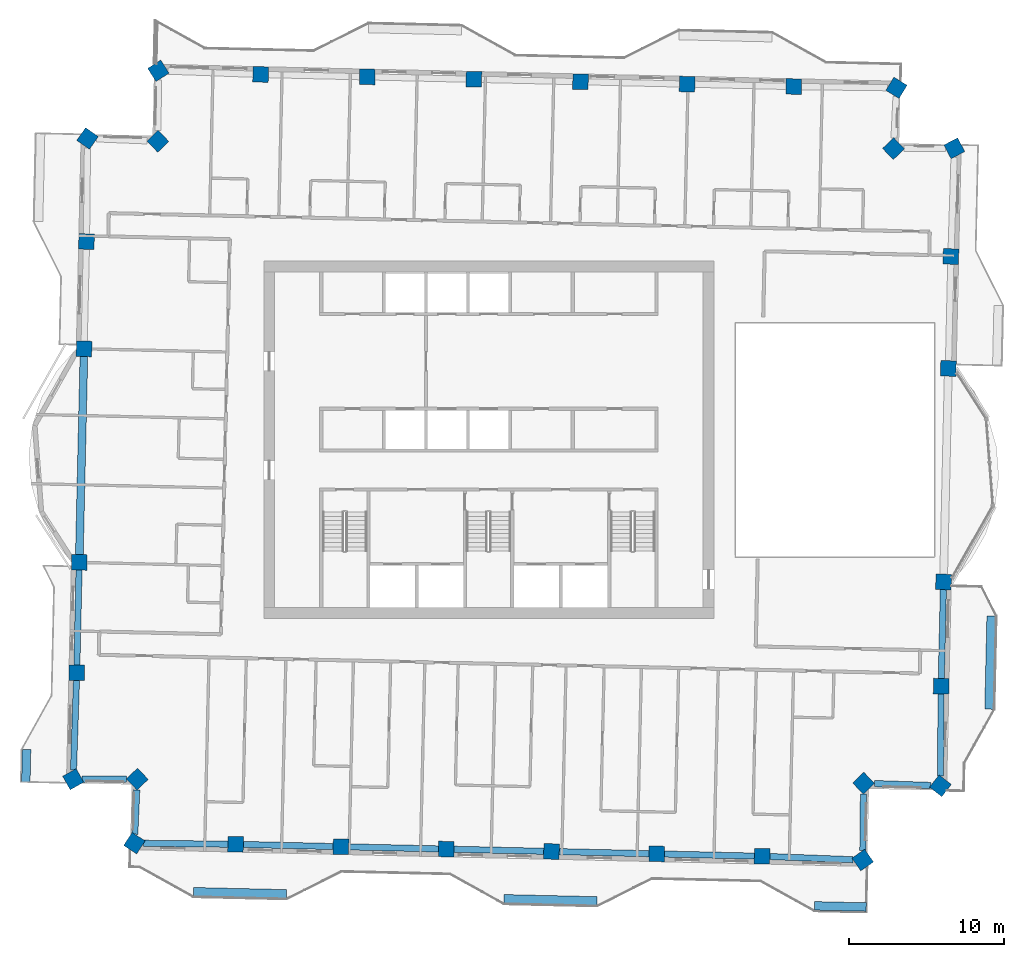
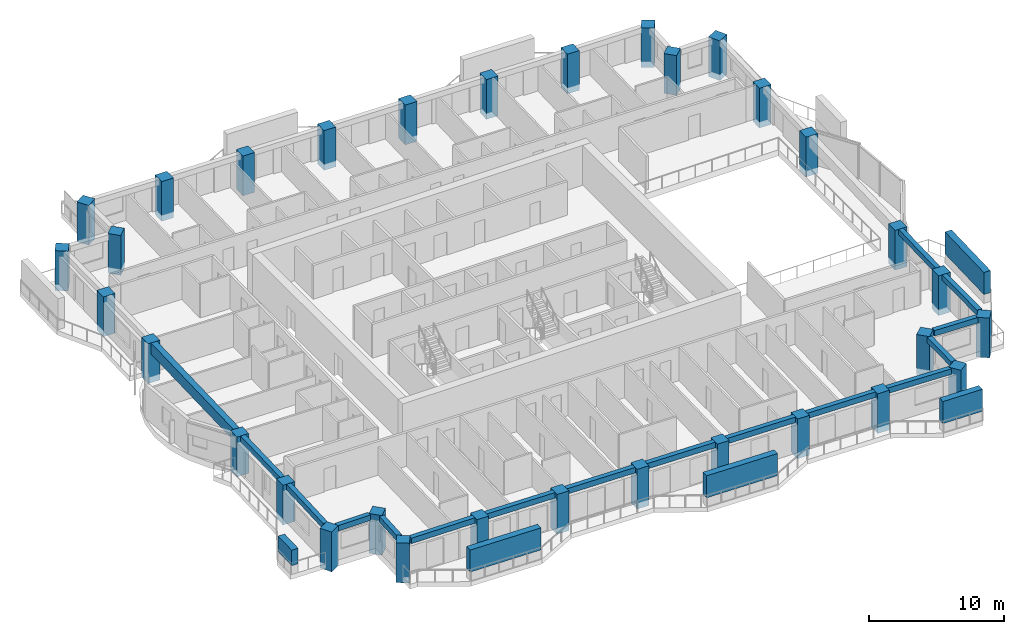
# One storey, part 1 of 17: 32 columns, 16 beams, 5 members.
"""IFC4 building model written with IfcOpenShell, lengths in metres."""

from ifc_helpers import new_model, si_unit, direction, frame, origin, origin_2d, place, context, subcontext, project, spatial, rectangle, extrude, material, material_profile, profile_set, type_object, element, save


model = new_model("IFC4")

# Units and contexts
model_context = context("Model", 3, precision=1e-05, world=origin(), true_north=direction((0.0, 1.0)))
body_context = subcontext(model_context, "Body", "Model", "MODEL_VIEW")
ifc_project = project(units=[si_unit("LENGTHUNIT", "METRE"), si_unit("AREAUNIT", "SQUARE_METRE"), si_unit("VOLUMEUNIT", "CUBIC_METRE"), si_unit("PLANEANGLEUNIT", "RADIAN"), si_unit("MASSUNIT", "GRAM", prefix="KILO")], contexts=[model_context])

# Site, building, storey
site_placement = place(None, origin())
site = spatial("IfcSite", under=ifc_project, at=site_placement, CompositionType="ELEMENT")
building_placement = place(site_placement, origin())
building = spatial("IfcBuilding", under=site, at=building_placement, Name="Mangrove Gate Tower", CompositionType="ELEMENT")
storey_placement = place(building_placement, frame((0.0, 0.0, 271.699951171875)))
storey = spatial("IfcBuildingStorey", under=building, at=storey_placement, Name="L69", CompositionType="ELEMENT", Elevation=271.699951171875)

# Columns
ifc_material_1 = material(Name="Concrete C50/60", Category="concrete")
ifc_material_profile_1 = material_profile(ifc_material_1, rectangle(XDim=1.0, YDim=1.0, at=origin_2d()))
ifc_profile_set_1 = profile_set([ifc_material_profile_1], Name="Concrete C50/60")
column_type = type_object("IfcColumnType", Name="Column RC 1000x1000 C50/60", PredefinedType="COLUMN", material=ifc_profile_set_1)
for number, where, z_axis, x_axis, name in (
    (1, (-26.385009765625, -7.892333984375, -0.550048828125), (0.0, 0.0, 1.0), (-0.022672414846, -0.999742947765, 0.0), "Column L69 W05"),
    (2, (-26.546142578125, -15.002197265625, -0.550048828125), (0.0, 0.0, 1.0), (-0.022636766921, -0.999743755561, 0.0), "Column L69 W06"),
    (3, (-26.770751953125, -21.857666015625, -0.550048828125), (0.0, 0.0, 1.0), (0.488846659431, -0.872369728706, 0.0), "Column L69 W07"),
    (4, (-22.646484375, -21.8515625, -0.550048828125), (0.0, 0.0, 1.0), (0.690844076144, -0.723003777622, 0.0), "Column L69 W08"),
    (5, (-22.8310546875, -25.97705078125, -0.550048828125), (0.0, 0.0, 1.0), (0.837962090781, -0.545728443838, 0.0), "Column L69 S01"),
    (6, (-16.312744140625, -26.050048828125, -0.550048828125), (0.0, 0.0, 1.0), (0.999742139886, -0.022708010396, 0.0), "Column L69 S02"),
    (7, (-9.53271484375, -26.2041015625, -0.550048828125), (0.0, 0.0, 1.0), (0.99974381087, -0.022634324086, 0.0), "Column L69 S03"),
    (8, (-2.752685546875, -26.357177734375, -0.550048828125), (0.0, 0.0, 1.0), (0.99974381087, -0.022634324086, 0.0), "Column L69 S04"),
    (9, (4.02734375, -26.51123046875, -0.550048828125), (0.0, 0.0, 1.0), (0.999742139886, -0.022708010396, 0.0), "Column L69 S05"),
    (10, (10.807373046875, -26.6650390625, -0.550048828125), (0.0, 0.0, 1.0), (0.999742139886, -0.022708010396, 0.0), "Column L69 S06"),
    (11, (17.58740234375, -26.819091796875, -0.550048828125), (0.0, 0.0, 1.0), (0.999742139886, -0.022708010396, 0.0), "Column L69 S07"),
    (12, (24.068359375, -27.06396484375, -0.550048828125), (0.0, 0.0, 1.0), (0.818120763293, 0.575046447402, 0.0), "Column L69 S08"),
    (13, (24.12353515625, -22.112548828125, -0.550048828125), (0.0, 0.0, 1.0), (0.722976563275, 0.690872556232, 0.0), "Column L69 E01"),
    (14, (29.073974609375, -22.2802734375, -0.550048828125), (0.0, 0.0, 1.0), (0.615428397343, 0.788192798586, 0.0), "Column L69 E02"),
    (15, (29.1201171875, -15.86572265625, -0.550048828125), (0.0, 0.0, 1.0), (0.022718026002, 0.999741912343, 0.0), "Column L69 E03"),
    (16, (29.273193359375, -9.154541015625, -0.550048828125), (0.0, 0.0, 1.0), (0.022723627062, 0.999741785049, 0.0), "Column L69 E04"),
    (17, (29.585205078125, 4.59228515625, -0.550048828125), (0.0, 0.0, 1.0), (0.022659642318, 0.999743237341, 0.0), "Column L69 E05"),
    (18, (29.748046875, 11.80224609375, -0.550048828125), (0.0, 0.0, 1.0), (0.0226694311, 0.999743015426, 0.0), "Column L69 E06"),
    (19, (29.96923828125, 18.76953125, -0.550048828125), (0.0, 0.0, 1.0), (-0.465021631321, 0.885299317973, 0.0), "Column L69 E07"),
    (20, (26.051513671875, 18.74658203125, -0.550048828125), (0.0, 0.0, 1.0), (-0.690925538708, 0.722925929788, 0.0), "Column L69 E08"),
    (21, (26.24267578125, 22.664794921875, -0.550048828125), (0.0, 0.0, 1.0), (-0.852456548942, 0.522798079727, 0.0), "Column L69 N01"),
    (22, (19.626708984375, 22.7470703125, -0.550048828125), (0.0, 0.0, 1.0), (-0.999741985691, 0.022714797976, 0.0), "Column L69 N02"),
    (23, (12.7607421875, 22.903076171875, -0.550048828125), (0.0, 0.0, 1.0), (-0.999741948423, 0.022716438162, 0.0), "Column L69 N03"),
    (24, (5.895751953125, 23.05908203125, -0.550048828125), (0.0, 0.0, 1.0), (-0.999741948423, 0.022716438162, 0.0), "Column L69 N04"),
    (25, (-0.97021484375, 23.215087890625, -0.550048828125), (0.0, 0.0, 1.0), (-0.999743636626, 0.022642019015, 0.0), "Column L69 N05"),
    (26, (-7.83642578125, 23.3701171875, -0.550048828125), (0.0, 0.0, 1.0), (-0.999743599083, 0.022643676653, 0.0), "Column L69 N06"),
    (27, (-14.701416015625, 23.526123046875, -0.550048828125), (0.0, 0.0, 1.0), (-0.999741948423, 0.022716438162, 0.0), "Column L69 N07"),
    (28, (-21.287353515625, 23.760498046875, -0.550048828125), (0.0, 0.0, 1.0), (-0.843247759492, -0.53752508417, 0.0), "Column L69 N08"),
    (29, (-21.314453125, 19.221435546875, -0.550048828125), (0.0, 0.0, 1.0), (-0.722988982899, -0.690859559249, 0.0), "Column L69 W01"),
    (30, (-25.84912109375, 19.401611328125, -0.550048828125), (0.0, 0.0, 1.0), (-0.572799342172, -0.819695622538, 0.0), "Column L69 W02"),
    (31, (-25.916015625, 12.765625, -0.550048828125), (0.0, 0.0, 1.0), (-0.022711552501, -0.999742059425, 0.0), "Column L69 W03"),
    (32, (-26.0732421875, 5.854736328125, -0.550048828125), (0.0, 0.0, 1.0), (-0.022697227041, -0.99974238476, 0.0), "Column L69 W04"),
):
    element("IfcColumn", number, at=place(storey_placement, frame(where, z_axis=z_axis, x_axis=x_axis)), inside=storey, type_object=column_type, Name=name, PredefinedType="COLUMN", context=body_context, shape_type="SweptSolid", body=[
        extrude(rectangle(XDim=1.0, YDim=1.0, at=origin_2d()), origin(), (0.0, 0.0, 1.0), 3.60009765625),
    ])

# Members
ifc_material_2 = material(Name="Planting on aluminium trellis", Category="aluminium")
ifc_material_profile_2 = material_profile(ifc_material_2, rectangle(XDim=0.550048828125, YDim=1.39990234375, at=origin_2d()))
ifc_profile_set_2 = profile_set([ifc_material_profile_2], Name="Planting on aluminium trellis")
member_type_1 = type_object("IfcMemberType", Name="Balcony greenery screen 550x1400", PredefinedType="USERDEFINED", material=ifc_profile_set_2)
member_1_placement = place(storey_placement, frame((-29.822021484375, -22.0419921875, 1.5), z_axis=(0.022908956429, 0.999737555419, 0.0), x_axis=(-0.999737555419, 0.022908956429, 0.0)))
element("IfcMember", 33, at=member_1_placement, inside=storey, type_object=member_type_1, Name="GREEN SCREEN L69 W1.1", ObjectType="PLANTING", PredefinedType="USERDEFINED", context=body_context, shape_type="SweptSolid", body=[
    extrude(rectangle(XDim=0.550048828125, YDim=1.39990234375, at=origin_2d()), origin(), (0.0, 0.0, 1.0), 2.099365234375),
])
ifc_material_3 = material(Name="Planting on aluminium trellis", Category="aluminium")
ifc_material_profile_3 = material_profile(ifc_material_3, rectangle(XDim=0.550048828125, YDim=2.0, at=origin_2d()))
ifc_profile_set_3 = profile_set([ifc_material_profile_3], Name="Planting on aluminium trellis")
member_type_2 = type_object("IfcMemberType", Name="Balcony greenery screen 550x2000", PredefinedType="USERDEFINED", material=ifc_profile_set_3)
member_2_placement = place(storey_placement, frame((32.202880859375, -17.34912109375, 1.800048828125), z_axis=(0.022702921152, 0.999742255469, 0.0), x_axis=(-0.999742255469, 0.022702921152, 0.0)))
element("IfcMember", 34, at=member_2_placement, inside=storey, type_object=member_type_2, Name="GREEN SCREEN L69 E0.1", ObjectType="PLANTING", PredefinedType="USERDEFINED", context=body_context, shape_type="SweptSolid", body=[
    extrude(rectangle(XDim=0.550048828125, YDim=2.0, at=origin_2d()), origin(), (0.0, 0.0, 1.0), 6.00048828125),
])
member_3_placement = place(storey_placement, frame((-19.028076171875, -29.10400390625, 1.800048828125), z_axis=(0.999743094499, -0.022665943652, 0.0), x_axis=(0.022665943652, 0.999743094499, 0.0)))
element("IfcMember", 35, at=member_3_placement, inside=storey, type_object=member_type_2, Name="GREEN SCREEN L69 S0.1", ObjectType="PLANTING", PredefinedType="USERDEFINED", context=body_context, shape_type="SweptSolid", body=[
    extrude(rectangle(XDim=0.550048828125, YDim=2.0, at=origin_2d()), origin(), (0.0, 0.0, 1.0), 5.99951171875),
])
member_4_placement = place(storey_placement, frame((0.966064453125, -29.55810546875, 1.800048828125), z_axis=(0.999743178102, -0.022662255828, 0.0), x_axis=(0.022662255828, 0.999743178102, 0.0)))
element("IfcMember", 36, at=member_4_placement, inside=storey, type_object=member_type_2, Name="GREEN SCREEN L69 S1.1", ObjectType="PLANTING", PredefinedType="USERDEFINED", context=body_context, shape_type="SweptSolid", body=[
    extrude(rectangle(XDim=0.550048828125, YDim=2.0, at=origin_2d()), origin(), (0.0, 0.0, 1.0), 6.00048828125),
])
member_5_placement = place(storey_placement, frame((20.9609375, -30.011962890625, 1.800048828125), z_axis=(0.999747546804, -0.022468704017, 0.0), x_axis=(0.022468704017, 0.999747546804, 0.0)))
element("IfcMember", 37, at=member_5_placement, inside=storey, type_object=member_type_2, Name="GREEN SCREEN L69 S1.2", ObjectType="PLANTING", PredefinedType="USERDEFINED", context=body_context, shape_type="SweptSolid", body=[
    extrude(rectangle(XDim=0.550048828125, YDim=2.0, at=origin_2d()), origin(), (0.0, 0.0, 1.0), 3.335693359375),
])

# Beams
ifc_material_4 = material(Name="Concrete C50/60", Category="concrete")
ifc_material_profile_4 = material_profile(ifc_material_4, rectangle(XDim=0.39990234375, YDim=0.5, at=origin_2d()))
ifc_profile_set_4 = profile_set([ifc_material_profile_4], Name="Concrete C50/60")
beam_type_1 = type_object("IfcBeamType", Name="Edge beam RC 400x500 C50/60", PredefinedType="BEAM", material=ifc_profile_set_4)
beam_1_placement = place(storey_placement, frame((-26.5625, -15.502197265625, 2.800048828125), z_axis=(-0.032765815093, -0.999463056526, 0.0), x_axis=(0.999463056526, -0.032765815093, 0.0)))
element("IfcBeam", 38, at=beam_1_placement, inside=storey, type_object=beam_type_1, Name="Edge beam L69 01", PredefinedType="BEAM", context=body_context, shape_type="SweptSolid", body=[
    extrude(rectangle(XDim=0.39990234375, YDim=0.5, at=origin_2d()), origin(), (0.0, 0.0, 1.0), 5.774658203125),
])
beam_2_placement = place(storey_placement, frame((-26.1982421875, -21.856689453125, 2.800048828125), z_axis=(0.99999894783, 0.001450634193, 0.0), x_axis=(-0.001450634193, 0.99999894783, 0.0)))
element("IfcBeam", 39, at=beam_2_placement, inside=storey, type_object=beam_type_1, Name="Edge beam L69 02", PredefinedType="BEAM", context=body_context, shape_type="SweptSolid", body=[
    extrude(rectangle(XDim=0.39990234375, YDim=0.5, at=origin_2d()), origin(), (0.0, 0.0, 1.0), 2.861083984375),
])
beam_3_placement = place(storey_placement, frame((-22.677490234375, -22.54296875, 2.800048828125), z_axis=(-0.044690570426, -0.999000877334, 0.0), x_axis=(0.999000877334, -0.044690570426, 0.0)))
element("IfcBeam", 40, at=beam_3_placement, inside=storey, type_object=beam_type_1, Name="Edge beam L69 03", PredefinedType="BEAM", context=body_context, shape_type="SweptSolid", body=[
    extrude(rectangle(XDim=0.39990234375, YDim=0.5, at=origin_2d()), origin(), (0.0, 0.0, 1.0), 2.857177734375),
])
beam_4_placement = place(storey_placement, frame((-22.23876953125, -25.983642578125, 2.800048828125), z_axis=(0.999937245586, -0.011202896475, 0.0), x_axis=(0.011202896475, 0.999937245586, 0.0)))
element("IfcBeam", 41, at=beam_4_placement, inside=storey, type_object=beam_type_1, Name="Edge beam L69 04", PredefinedType="BEAM", context=body_context, shape_type="SweptSolid", body=[
    extrude(rectangle(XDim=0.39990234375, YDim=0.5, at=origin_2d()), origin(), (0.0, 0.0, 1.0), 5.42626953125),
])
for number, where, z_axis, x_axis, name in (
    (42, (-15.812744140625, -26.0615234375, 2.800048828125), (0.999741922736, -0.022717568611, 0.0), (0.022717568611, 0.999741922736, 0.0), "Edge beam L69 05"),
    (43, (-9.03271484375, -26.21533203125, 2.800048828125), (0.999744791798, -0.02259095555, 0.0), (0.02259095555, 0.999744791798, 0.0), "Edge beam L69 06"),
):
    element("IfcBeam", number, at=place(storey_placement, frame(where, z_axis=z_axis, x_axis=x_axis)), inside=storey, type_object=beam_type_1, Name=name, PredefinedType="BEAM", context=body_context, shape_type="SweptSolid", body=[
        extrude(rectangle(XDim=0.39990234375, YDim=0.5, at=origin_2d()), origin(), (0.0, 0.0, 1.0), 5.78173828125),
    ])
beam_5_placement = place(storey_placement, frame((-2.2529296875, -26.368408203125, 2.800048828125), z_axis=(0.999741944527, -0.022716609628, 0.0), x_axis=(0.022716609628, 0.999741944527, 0.0)))
element("IfcBeam", 44, at=beam_5_placement, inside=storey, type_object=beam_type_1, Name="Edge beam L69 07", PredefinedType="BEAM", context=body_context, shape_type="SweptSolid", body=[
    extrude(rectangle(XDim=0.39990234375, YDim=0.5, at=origin_2d()), origin(), (0.0, 0.0, 1.0), 5.781982421875),
])
beam_6_placement = place(storey_placement, frame((4.52734375, -26.5224609375, 2.800048828125), z_axis=(0.999741900943, -0.022718527675, 0.0), x_axis=(0.022718527675, 0.999741900943, 0.0)))
element("IfcBeam", 45, at=beam_6_placement, inside=storey, type_object=beam_type_1, Name="Edge beam L69 08", PredefinedType="BEAM", context=body_context, shape_type="SweptSolid", body=[
    extrude(rectangle(XDim=0.39990234375, YDim=0.5, at=origin_2d()), origin(), (0.0, 0.0, 1.0), 5.781494140625),
])
beam_7_placement = place(storey_placement, frame((11.30712890625, -26.676513671875, 2.800048828125), z_axis=(0.999741922736, -0.022717568611, 0.0), x_axis=(0.022717568611, 0.999741922736, 0.0)))
element("IfcBeam", 46, at=beam_7_placement, inside=storey, type_object=beam_type_1, Name="Edge beam L69 09", PredefinedType="BEAM", context=body_context, shape_type="SweptSolid", body=[
    extrude(rectangle(XDim=0.39990234375, YDim=0.5, at=origin_2d()), origin(), (0.0, 0.0, 1.0), 5.78173828125),
])
beam_8_placement = place(storey_placement, frame((18.087158203125, -26.837890625, 2.800048828125), z_axis=(0.9992861355, -0.037778557385, 0.0), x_axis=(0.037778557385, 0.9992861355, 0.0)))
element("IfcBeam", 47, at=beam_8_placement, inside=storey, type_object=beam_type_1, Name="Edge beam L69 10", PredefinedType="BEAM", context=body_context, shape_type="SweptSolid", body=[
    extrude(rectangle(XDim=0.39990234375, YDim=0.5, at=origin_2d()), origin(), (0.0, 0.0, 1.0), 5.357421875),
])
beam_9_placement = place(storey_placement, frame((24.075439453125, -26.447998046875, 2.800048828125), z_axis=(0.011076863189, 0.999938649669, 0.0), x_axis=(-0.999938649669, 0.011076863189, 0.0)))
element("IfcBeam", 48, at=beam_9_placement, inside=storey, type_object=beam_type_1, Name="Edge beam L69 11", PredefinedType="BEAM", context=body_context, shape_type="SweptSolid", body=[
    extrude(rectangle(XDim=0.39990234375, YDim=0.5, at=origin_2d()), origin(), (0.0, 0.0, 1.0), 3.63671875),
])
beam_10_placement = place(storey_placement, frame((24.822509765625, -22.13623046875, 2.800048828125), z_axis=(0.999427025766, -0.033847011221, 0.0), x_axis=(0.033847011221, 0.999427025766, 0.0)))
element("IfcBeam", 49, at=beam_10_placement, inside=storey, type_object=beam_type_1, Name="Edge beam L69 12", PredefinedType="BEAM", context=body_context, shape_type="SweptSolid", body=[
    extrude(rectangle(XDim=0.39990234375, YDim=0.5, at=origin_2d()), origin(), (0.0, 0.0, 1.0), 3.635498046875),
])
beam_11_placement = place(storey_placement, frame((29.078369140625, -21.6494140625, 2.800048828125), z_axis=(0.00720801901, 0.999974021894, 0.0), x_axis=(-0.999974021894, 0.00720801901, 0.0)))
element("IfcBeam", 50, at=beam_11_placement, inside=storey, type_object=beam_type_1, Name="Edge beam L69 13", PredefinedType="BEAM", context=body_context, shape_type="SweptSolid", body=[
    extrude(rectangle(XDim=0.39990234375, YDim=0.5, at=origin_2d()), origin(), (0.0, 0.0, 1.0), 5.283935546875),
])
beam_12_placement = place(storey_placement, frame((29.131591796875, -15.36572265625, 2.800048828125), z_axis=(0.022778681813, 0.999740532166, 0.0), x_axis=(-0.999740532166, 0.022778681813, 0.0)))
element("IfcBeam", 51, at=beam_12_placement, inside=storey, type_object=beam_type_1, Name="Edge beam L69 14", PredefinedType="BEAM", context=body_context, shape_type="SweptSolid", body=[
    extrude(rectangle(XDim=0.39990234375, YDim=0.5, at=origin_2d()), origin(), (0.0, 0.0, 1.0), 5.712646484375),
])
ifc_material_5 = material(Name="Concrete C50/60", Category="concrete")
ifc_material_profile_5 = material_profile(ifc_material_5, rectangle(XDim=0.39990234375, YDim=0.550048828125, at=origin_2d()))
ifc_profile_set_5 = profile_set([ifc_material_profile_5], Name="Concrete C50/60")
beam_type_2 = type_object("IfcBeamType", Name="Edge beam RC 400x550 C50/60", PredefinedType="BEAM", material=ifc_profile_set_5)
beam_13_placement = place(storey_placement, frame((-26.396484375, -8.39208984375, 2.775146484375), z_axis=(-0.022648815514, -0.999743482677, 0.0), x_axis=(0.999743482677, -0.022648815514, 0.0)))
element("IfcBeam", 52, at=beam_13_placement, inside=storey, type_object=beam_type_2, Name="Edge beam L69 00", PredefinedType="BEAM", context=body_context, shape_type="SweptSolid", body=[
    extrude(rectangle(XDim=0.39990234375, YDim=0.550048828125, at=origin_2d()), origin(), (0.0, 0.0, 1.0), 6.11181640625),
])
ifc_material_6 = material(Name="Concrete C50/60", Category="concrete")
ifc_material_profile_6 = material_profile(ifc_material_6, rectangle(XDim=0.5, YDim=1.0, at=origin_2d()))
ifc_profile_set_6 = profile_set([ifc_material_profile_6], Name="Concrete C50/60")
beam_type_3 = type_object("IfcBeamType", Name="Edge beam RC 500x1000 C50/60", PredefinedType="BEAM", material=ifc_profile_set_6)
beam_14_placement = place(storey_placement, frame((-26.08447265625, 5.354736328125, 2.550048828125), z_axis=(-0.022689654485, -0.999742556651, 0.0), x_axis=(0.999742556651, -0.022689654485, 0.0)))
element("IfcBeam", 53, at=beam_14_placement, inside=storey, type_object=beam_type_3, Name="Edge beam L69 31", PredefinedType="BEAM", context=body_context, shape_type="SweptSolid", body=[
    extrude(rectangle(XDim=0.5, YDim=1.0, at=origin_2d()), origin(), (0.0, 0.0, 1.0), 12.75048828125),
])

save(model, "model.ifc")
